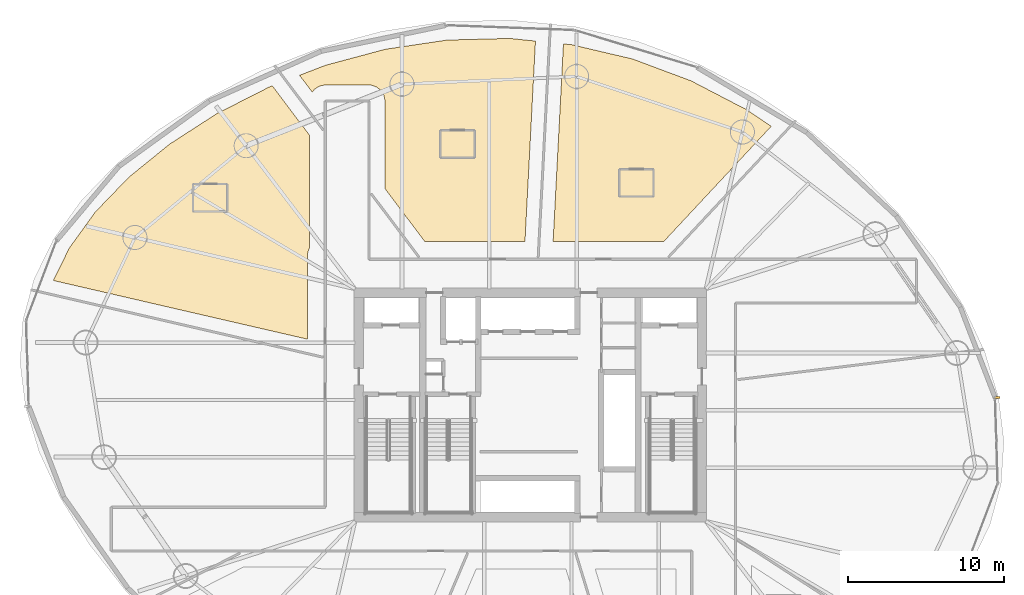
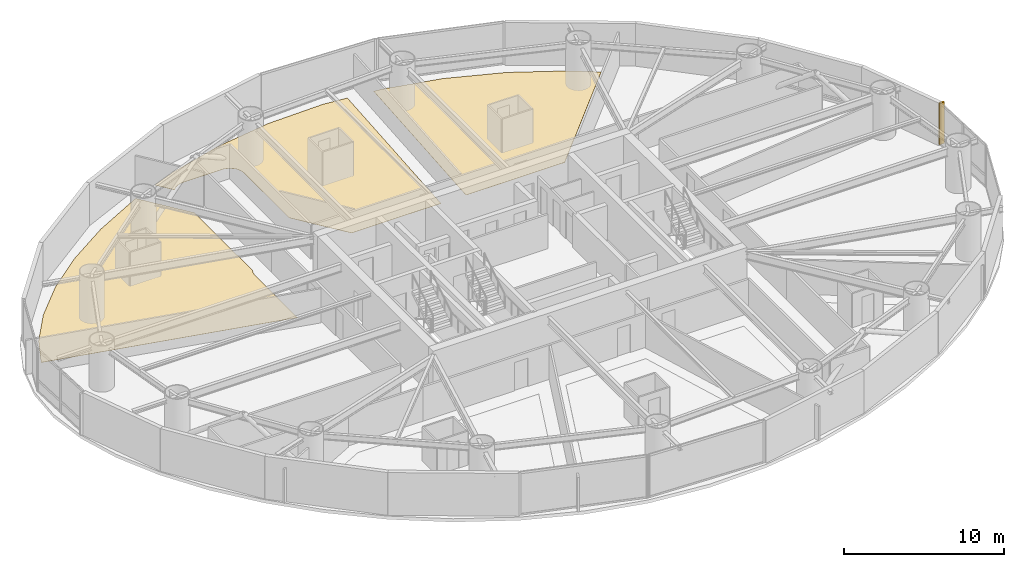
# One storey, part 27 of 27: 3 coverings, 1 shading device.
"""IFC4 building model written with IfcOpenShell, lengths in metres."""

import ifcopenshell
import ifcopenshell.guid

model = None  # the IFC model being written
_history = None  # IfcOwnerHistory: only IFC2X3 demands one
_inside = {}  # id of a spatial element -> (the spatial element, [elements in it])
_under = {}  # id of a project, library or spatial element -> (it, [spatial elements below it])
_declared = {}  # id of a project -> (the project, [libraries it declares])
_typed = {}  # id of a type object -> (the type object, [elements of that type])
_made_of = {}  # id of a material, layer set ... -> (it, [elements and type objects made of it])


def new_model(schema):
    """Start an empty IFC model of exactly this schema.

    Asked for "IFC4X3", IfcOpenShell would pick the latest addendum, in which some entities
    have other attributes; the version numbers below select the first issue.
    IFC2X3 requires an IfcOwnerHistory on every rooted entity: one is made here for all.
    """
    global model, _history
    if schema == "IFC4X3":
        model = ifcopenshell.file(schema_version=(4, 3, 0, 0))
    else:
        model = ifcopenshell.file(schema=schema)
    _inside.clear()
    _under.clear()
    _declared.clear()
    _typed.clear()
    _made_of.clear()
    _history = None
    if model.schema == "IFC2X3":
        org = make("IfcOrganization", Name="unknown")
        user = make(
            "IfcPersonAndOrganization",
            ThePerson=make("IfcPerson", FamilyName="unknown"),
            TheOrganization=org,
        )
        app = make(
            "IfcApplication",
            ApplicationDeveloper=org,
            Version="unknown",
            ApplicationFullName="unknown",
            ApplicationIdentifier="unknown",
        )
        _history = make(
            "IfcOwnerHistory",
            OwningUser=user,
            OwningApplication=app,
            ChangeAction="ADDED",
            CreationDate=0,
        )
    return model


def make(cls, **values):
    """One entity of the class cls with the attributes given. An attribute that is None is left unset."""
    return model.create_entity(
        cls, **{name: value for name, value in values.items() if value is not None}
    )


def rooted(cls, **values):
    """An entity with a GlobalId (a new one), such as an element, a storey or a relation."""
    return make(cls, GlobalId=ifcopenshell.guid.new(), OwnerHistory=_history, **values)


def si_unit(unit_type, name, prefix=None):
    """IfcSIUnit, for example si_unit("LENGTHUNIT", "METRE", prefix="MILLI")."""
    return make("IfcSIUnit", UnitType=unit_type, Prefix=prefix, Name=name)


def assignment(units):
    """IfcUnitAssignment: the units of a project."""
    return None if units is None else make("IfcUnitAssignment", Units=units)


def point(xyz):
    """IfcCartesianPoint."""
    return None if xyz is None else make("IfcCartesianPoint", Coordinates=xyz)


def direction(xyz):
    """IfcDirection."""
    return None if xyz is None else make("IfcDirection", DirectionRatios=xyz)


def frame(location, z_axis=None, x_axis=None):
    """IfcAxis2Placement3D, a coordinate frame: its origin and axes. An axis left out is left unset."""
    return make(
        "IfcAxis2Placement3D",
        Location=point(location),
        Axis=direction(z_axis),
        RefDirection=direction(x_axis),
    )


def frame_2d(location, x_axis=None):
    """IfcAxis2Placement2D, a coordinate frame in the plane: its origin and x axis."""
    return make(
        "IfcAxis2Placement2D", Location=point(location), RefDirection=direction(x_axis)
    )


def origin():
    """The frame at (0, 0, 0) with its axes left unset."""
    return frame((0.0, 0.0, 0.0))


def origin_2d():
    """The frame at (0, 0) in the plane with its x axis left unset."""
    return frame_2d((0.0, 0.0))


def place(relative_to, where):
    """IfcLocalPlacement: puts the frame where relative to a parent placement (None: the world)."""
    return make(
        "IfcLocalPlacement", PlacementRelTo=relative_to, RelativePlacement=where
    )


def context(
    kind, dimensions, precision=None, world=None, true_north=None, identifier=None
):
    """IfcGeometricRepresentationContext, for example the 3D "Model" context."""
    return make(
        "IfcGeometricRepresentationContext",
        ContextIdentifier=identifier,
        ContextType=kind,
        CoordinateSpaceDimension=dimensions,
        Precision=precision,
        WorldCoordinateSystem=world,
        TrueNorth=true_north,
    )


def subcontext(parent, identifier, kind, view, scale=None):
    """IfcGeometricRepresentationSubContext, for example "Body" below "Model"."""
    return make(
        "IfcGeometricRepresentationSubContext",
        ContextIdentifier=identifier,
        ContextType=kind,
        ParentContext=parent,
        TargetScale=scale,
        TargetView=view,
    )


def project(units=None, contexts=None):
    """IfcProject with its units and contexts."""
    return rooted(
        "IfcProject",
        Name="project",
        RepresentationContexts=contexts,
        UnitsInContext=assignment(units),
    )


def spatial(cls, under=None, at=None, **own):
    """A site, building, storey or space (cls), placed at a placement, below another one or the project."""
    s = rooted(cls, ObjectPlacement=at, **own)
    if under is not None:
        _under.setdefault(under.id(), (under, []))[1].append(s)
    return s


def polyline(points):
    """IfcPolyline through the points."""
    return make("IfcPolyline", Points=[point(p) for p in points])


def profile(cls, at=None, kind="AREA", **sizes):
    """A parametric profile (cls). Its sizes go by their IFC names, for example OverallWidth=200.0."""
    return make(cls, ProfileType=kind, Position=at, **sizes)


def rectangle(**sizes):
    """IfcRectangleProfileDef."""
    return profile("IfcRectangleProfileDef", **sizes)


def outline(outer, holes=None, kind="AREA"):
    """IfcArbitraryClosedProfileDef: a profile drawn as a closed curve; with holes, ...WithVoids."""
    if holes is None:
        return make("IfcArbitraryClosedProfileDef", ProfileType=kind, OuterCurve=outer)
    return make(
        "IfcArbitraryProfileDefWithVoids",
        ProfileType=kind,
        OuterCurve=outer,
        InnerCurves=holes,
    )


def extrude(swept, where, along, depth):
    """IfcExtrudedAreaSolid: the profile swept, set in the frame where, extruded along a direction by depth."""
    return make(
        "IfcExtrudedAreaSolid",
        SweptArea=swept,
        Position=where,
        ExtrudedDirection=direction(along),
        Depth=depth,
    )


def shape(context_of_items, identifier, shape_type, items):
    """IfcShapeRepresentation: the items that make up one representation, for example the "Body"."""
    return make(
        "IfcShapeRepresentation",
        ContextOfItems=context_of_items,
        RepresentationIdentifier=identifier,
        RepresentationType=shape_type,
        Items=items,
    )


def material(Name=None, Category=None):
    """IfcMaterial."""
    return make("IfcMaterial", Name=Name, Category=Category)


def layer(
    of_material, thickness, ventilated=None, Name=None, Category=None, Priority=None
):
    """IfcMaterialLayer: one layer of a wall or slab, of a material (None: an air gap)."""
    return make(
        "IfcMaterialLayer",
        Material=of_material,
        LayerThickness=thickness,
        IsVentilated=ventilated,
        Name=Name,
        Category=Category,
        Priority=Priority,
    )


def layer_set(layers, Name=None):
    """IfcMaterialLayerSet."""
    return make("IfcMaterialLayerSet", MaterialLayers=layers, LayerSetName=Name)


def made_of(thing, what):
    """Note that an element or type object is made of a material, layer set ...; save() writes the relation."""
    if what is not None:
        _made_of.setdefault(what.id(), (what, []))[1].append(thing)
    return thing


def type_object(cls, material=None, **own):
    """A type object (cls), such as IfcWallType, which elements share."""
    return made_of(rooted(cls, **own), material)


def element(
    cls,
    number,
    at=None,
    inside=None,
    cuts=None,
    type_object=None,
    material=None,
    context=None,
    identifier="Body",
    shape_type=None,
    held_by="IfcProductDefinitionShape",
    body=None,
    shapes=None,
    **own,
):
    """One element of the class cls, such as IfcWall. Its Tag is "e" and its number.

    at: its placement. inside: the storey or other place that contains it. cuts: it is an
    opening in that element (IfcRelVoidsElement). A single representation is given by context,
    identifier, shape_type and body (its items); several are given by shapes. held_by: the class
    of the entity that holds the representations. save() writes the other relations.
    """
    e = rooted(cls, Tag="e%d" % number, ObjectPlacement=at, **own)
    if body is not None:
        shapes = [shape(context, identifier, shape_type, body)]
    if shapes is not None:
        e.Representation = make(held_by, Representations=shapes)
    if inside is not None:
        _inside.setdefault(inside.id(), (inside, []))[1].append(e)
    if cuts is not None:
        rooted(
            "IfcRelVoidsElement", RelatingBuildingElement=cuts, RelatedOpeningElement=e
        )
    if type_object is not None:
        _typed.setdefault(type_object.id(), (type_object, []))[1].append(e)
    return made_of(e, material)


def aggregate(whole, parts):
    """IfcRelAggregates: a whole, such as a stair, and the parts it consists of."""
    return rooted("IfcRelAggregates", RelatingObject=whole, RelatedObjects=parts)


def save(model, path):
    """Write the relations noted so far, then the file.

    IfcRelAggregates (storeys below a building ...), IfcRelContainedInSpatialStructure (elements
    in a storey), IfcRelDefinesByType, IfcRelAssociatesMaterial and IfcRelDeclares: one each for
    every whole, place, type object, material and project.
    """
    for whole, parts in _under.values():
        aggregate(whole, parts)
    for where, things in _inside.values():
        rooted(
            "IfcRelContainedInSpatialStructure",
            RelatedElements=things,
            RelatingStructure=where,
        )
    for kind, things in _typed.values():
        rooted("IfcRelDefinesByType", RelatedObjects=things, RelatingType=kind)
    for what, things in _made_of.values():
        rooted("IfcRelAssociatesMaterial", RelatedObjects=things, RelatingMaterial=what)
    for by, libraries in _declared.values():
        rooted("IfcRelDeclares", RelatingContext=by, RelatedDefinitions=libraries)
    model.write(path)


model = new_model("IFC4")

# Units and contexts
model_context = context("Model", 3, precision=1e-05, world=origin(), true_north=direction((0.0, 1.0)))
body_context = subcontext(model_context, "Body", "Model", "MODEL_VIEW")
ifc_project = project(units=[si_unit("LENGTHUNIT", "METRE"), si_unit("AREAUNIT", "SQUARE_METRE"), si_unit("VOLUMEUNIT", "CUBIC_METRE"), si_unit("PLANEANGLEUNIT", "RADIAN"), si_unit("MASSUNIT", "GRAM", prefix="KILO")], contexts=[model_context])

# Site, building, storey
site_placement = place(None, origin())
site = spatial("IfcSite", under=ifc_project, at=site_placement, CompositionType="ELEMENT")
building_placement = place(site_placement, origin())
building = spatial("IfcBuilding", under=site, at=building_placement, Name="Bramvorn Convention Spire", CompositionType="ELEMENT")
storey_placement = place(building_placement, frame((0.0, 0.0, 72.89990234375)))
storey = spatial("IfcBuildingStorey", under=building, at=storey_placement, Name="L16", CompositionType="ELEMENT", Elevation=72.89990234375)

# Coverings
ifc_material_1 = material(Name="Solution-Dyed Wool Broadloom Hospitality Carpet", Category="textile")
ifc_layer = layer(ifc_material_1, 0.014892578125)
ifc_layer_set = layer_set([ifc_layer], Name="Solution-Dyed Wool Broadloom Hospitality Carpet - FLR-CARPET-15")
covering_type = type_object("IfcCoveringType", Name="FLR-CARPET-15", PredefinedType="FLOORING", material=ifc_layer_set)
covering_1_placement = place(storey_placement, origin())
element("IfcCovering", 1, at=covering_1_placement, inside=storey, type_object=covering_type, Name="Hotel Suite 1602 wool broadloom carpet", PredefinedType="FLOORING", context=body_context, shape_type="SweptSolid", body=[
    extrude(outline(polyline([(40.649658203125, 49.10498046875), (40.114990234375, 49.1591796875), (39.451416015625, 36.5), (46.560791015625, 36.5), (53.437744140625, 43.87451171875), (51.859375, 44.93896484375), (48.309326171875, 46.7841796875), (44.553466796875, 48.188720703125), (40.649658203125, 49.10498046875)])), origin(), (0.0, 0.0, 1.0), 0.01513671875),
])
covering_2_placement = place(storey_placement, origin())
element("IfcCovering", 2, at=covering_2_placement, inside=storey, type_object=covering_type, Name="Hotel Suite 1603 wool broadloom carpet", PredefinedType="FLOORING", context=body_context, shape_type="SweptSolid", body=[
    extrude(outline(polyline([(24.16943359375, 46.259521484375), (24.40869140625, 46.41943359375), (24.60791015625, 46.49072265625), (24.85009765625, 46.52001953125), (27.793701171875, 46.509765625), (28.169189453125, 46.377685546875), (28.465576171875, 46.1123046875), (28.6083984375, 45.84912109375), (28.6689453125, 45.544189453125), (28.669921875, 39.876708984375), (31.214599609375, 36.5), (37.64892578125, 36.5), (38.322021484375, 49.341064453125), (36.660400390625, 49.509521484375), (32.65185546875, 49.404296875), (28.694580078125, 48.8154296875), (24.863037109375, 47.788818359375), (23.193603515625, 47.14404296875), (24.00439453125, 46.068359375), (24.16943359375, 46.259521484375)])), origin(), (0.0, 0.0, 1.0), 0.01513671875),
])
covering_3_placement = place(storey_placement, origin())
element("IfcCovering", 3, at=covering_3_placement, inside=storey, type_object=covering_type, Name="Hotel Suite 1604 wool broadloom carpet", PredefinedType="FLOORING", context=body_context, shape_type="SweptSolid", body=[
    extrude(outline(polyline([(23.699951171875, 30.22509765625), (23.699951171875, 35.60009765625), (23.73876953125, 35.861328125), (23.830078125, 36.063720703125), (23.830078125, 43.30859375), (21.447998046875, 46.4697265625), (21.232421875, 46.386474609375), (17.876708984375, 44.677978515625), (14.864501953125, 42.733642578125), (12.256103515625, 40.617919921875), (10.1005859375, 38.3837890625), (8.431640625, 36.069091796875), (7.40869140625, 33.986083984375), (23.699951171875, 30.22509765625)])), origin(), (0.0, 0.0, 1.0), 0.01513671875),
])

# Shading device
ifc_material_2 = material(Name="Extruded Champagne Bronze Aluminium Lancet Fin", Category="aluminium")
shading_device_type = type_object("IfcShadingDeviceType", Name="SHD-FIN-LANCET", PredefinedType="SHUTTER", material=ifc_material_2)
shading_device_placement = place(storey_placement, frame((67.911865234375, 26.482421875, 0.050048828125), z_axis=(0.0, 0.0, 1.0), x_axis=(0.999869905393, 0.016129857088, 0.0)))
element("IfcShadingDevice", 4, at=shading_device_placement, inside=storey, type_object=shading_device_type, Name="L16 Gothic bronze wind-corner fin 01", PredefinedType="SHUTTER", context=body_context, shape_type="SweptSolid", body=[
    extrude(rectangle(XDim=0.360107421875, YDim=0.139892578125, at=origin_2d()), origin(), (0.0, 0.0, 1.0), 3.14990234375),
])

save(model, "model.ifc")
